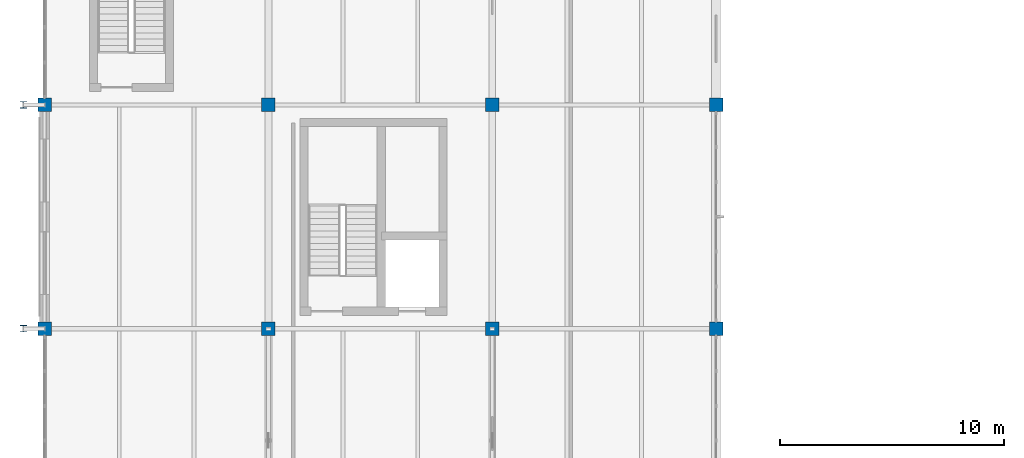
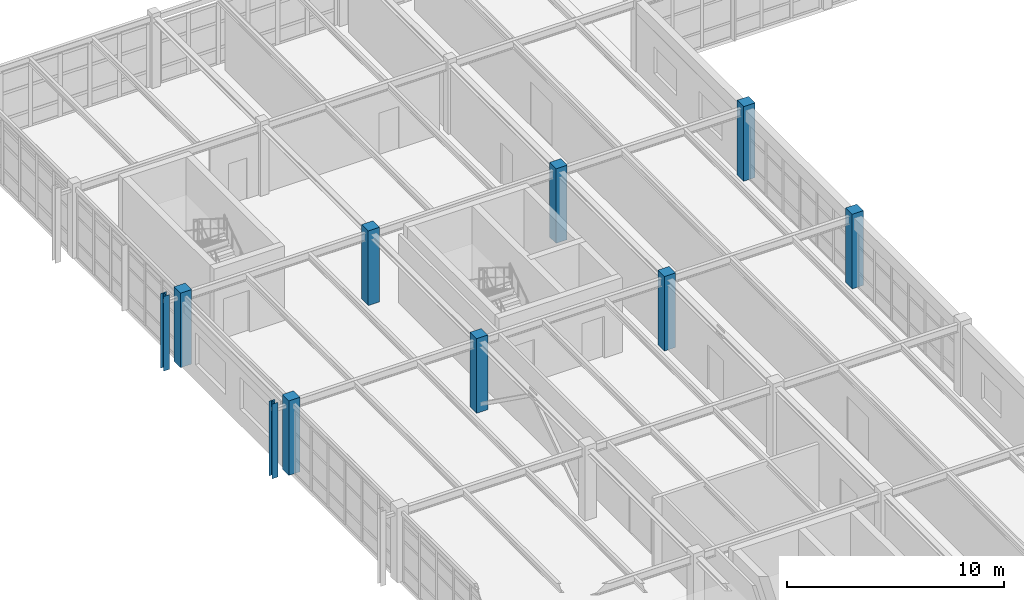
# One storey, part 4 of 122: 10 columns.
"""IFC4 building model written with IfcOpenShell, lengths in metres."""

from ifc_helpers import new_model, si_unit, direction, frame, origin, origin_2d, place, context, subcontext, project, spatial, rectangle, i_section, extrude, material, material_profile, profile_set, type_object, element, save


model = new_model("IFC4")

# Units and contexts
model_context = context("Model", 3, precision=1e-05, world=origin(), true_north=direction((0.0, 1.0)))
body_context = subcontext(model_context, "Body", "Model", "MODEL_VIEW")
ifc_project = project(units=[si_unit("LENGTHUNIT", "METRE"), si_unit("AREAUNIT", "SQUARE_METRE"), si_unit("VOLUMEUNIT", "CUBIC_METRE"), si_unit("PLANEANGLEUNIT", "RADIAN"), si_unit("MASSUNIT", "GRAM", prefix="KILO"), si_unit("THERMODYNAMICTEMPERATUREUNIT", "KELVIN"), si_unit("POWERUNIT", "WATT")], contexts=[model_context])

# Site, building, storey
site_placement = place(None, origin())
site = spatial("IfcSite", under=ifc_project, at=site_placement, CompositionType="ELEMENT")
building_placement = place(site_placement, origin())
building = spatial("IfcBuilding", under=site, at=building_placement, Name="Korenveer Ferry Terminal", CompositionType="ELEMENT")
storey_placement = place(building_placement, frame((0.0, 0.0, 10.199951171875)))
storey = spatial("IfcBuildingStorey", under=building, at=storey_placement, Name="L02", CompositionType="ELEMENT", Elevation=10.199951171875)

# Columns
ifc_material_1 = material(Name="Concrete C45/55", Category="concrete")
ifc_material_profile_1 = material_profile(ifc_material_1, rectangle(XDim=0.60009765625, YDim=0.60009765625, at=origin_2d()), Name="RC 600x600")
ifc_profile_set_1 = profile_set([ifc_material_profile_1], Name="Concrete C45/55")
column_type_1 = type_object("IfcColumnType", Name="STR-COL-RC600", PredefinedType="COLUMN", material=ifc_profile_set_1)
for number, where, z_axis, x_axis, name in (
    (1, (0.0, 50.0, 0.0), (0.0, 0.0, 1.0), (1.0, 0.0, 0.0), "Column COL-L02-X0-Y50"),
    (2, (0.0, 60.0, 0.0), (0.0, 0.0, 1.0), (1.0, 0.0, 0.0), "Column COL-L02-X0-Y60"),
    (3, (10.0, 50.0, 0.0), (0.0, 0.0, 1.0), (1.0, 0.0, 0.0), "Column COL-L02-X10-Y50"),
    (4, (10.0, 60.0, 0.0), (0.0, 0.0, 1.0), (1.0, 0.0, 0.0), "Column COL-L02-X10-Y60"),
    (5, (20.0, 50.0, 0.0), (0.0, 0.0, 1.0), (1.0, 0.0, 0.0), "Column COL-L02-X20-Y50"),
    (6, (20.0, 60.0, 0.0), (0.0, 0.0, 1.0), (1.0, 0.0, 0.0), "Column COL-L02-X20-Y60"),
    (7, (30.0, 50.0, 0.0), (0.0, 0.0, 1.0), (1.0, 0.0, 0.0), "Column COL-L02-X30-Y50"),
    (8, (30.0, 60.0, 0.0), (0.0, 0.0, 1.0), (1.0, 0.0, 0.0), "Column COL-L02-X30-Y60"),
):
    element("IfcColumn", number, at=place(storey_placement, frame(where, z_axis=z_axis, x_axis=x_axis)), inside=storey, type_object=column_type_1, Name=name, PredefinedType="COLUMN", context=body_context, shape_type="SweptSolid", body=[
        extrude(rectangle(XDim=0.60009765625, YDim=0.60009765625, at=origin_2d()), origin(), (0.0, 0.0, 1.0), 4.199951171875),
    ])
ifc_material_2 = material(Name="Steel S355", Category="steel")
ifc_material_profile_2 = material_profile(ifc_material_2, i_section(OverallWidth=0.300048828125, OverallDepth=0.2900390625, WebThickness=0.008544921875, FlangeThickness=0.013916015625, FilletRadius=0.027099609375, at=origin_2d()), Name="HEA 300")
ifc_profile_set_2 = profile_set([ifc_material_profile_2], Name="Steel S355")
column_type_2 = type_object("IfcColumnType", Name="STR-PIL-BRICK450", PredefinedType="PILASTER", material=ifc_profile_set_2)
for number, where, z_axis, x_axis, name in (
    (9, (-0.949951171875, 50.0, 0.0), (0.0, 0.0, 1.0), (1.0, 0.0, 0.0), "Buttress pilaster 12"),
    (10, (-0.949951171875, 60.0, 0.0), (0.0, 0.0, 1.0), (1.0, 0.0, 0.0), "Buttress pilaster 15"),
):
    element("IfcColumn", number, at=place(storey_placement, frame(where, z_axis=z_axis, x_axis=x_axis)), inside=storey, type_object=column_type_2, Name=name, PredefinedType="PILASTER", context=body_context, shape_type="SweptSolid", body=[
        extrude(i_section(OverallWidth=0.300048828125, OverallDepth=0.2900390625, WebThickness=0.008544921875, FlangeThickness=0.013916015625, FilletRadius=0.027099609375, at=origin_2d()), origin(), (0.0, 0.0, 1.0), 4.199951171875),
    ])

save(model, "model.ifc")
